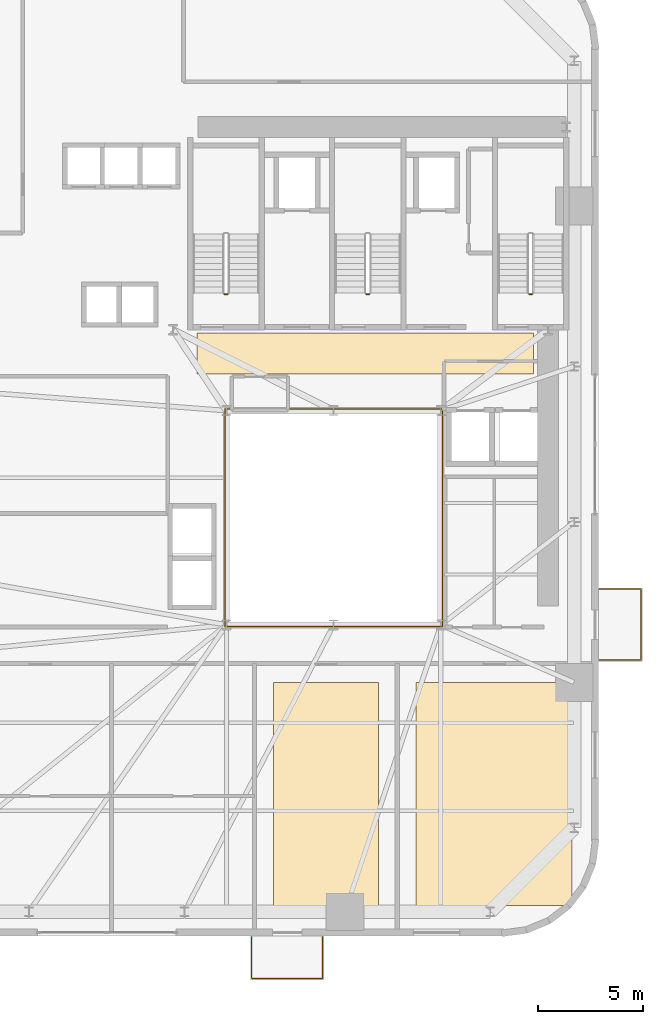
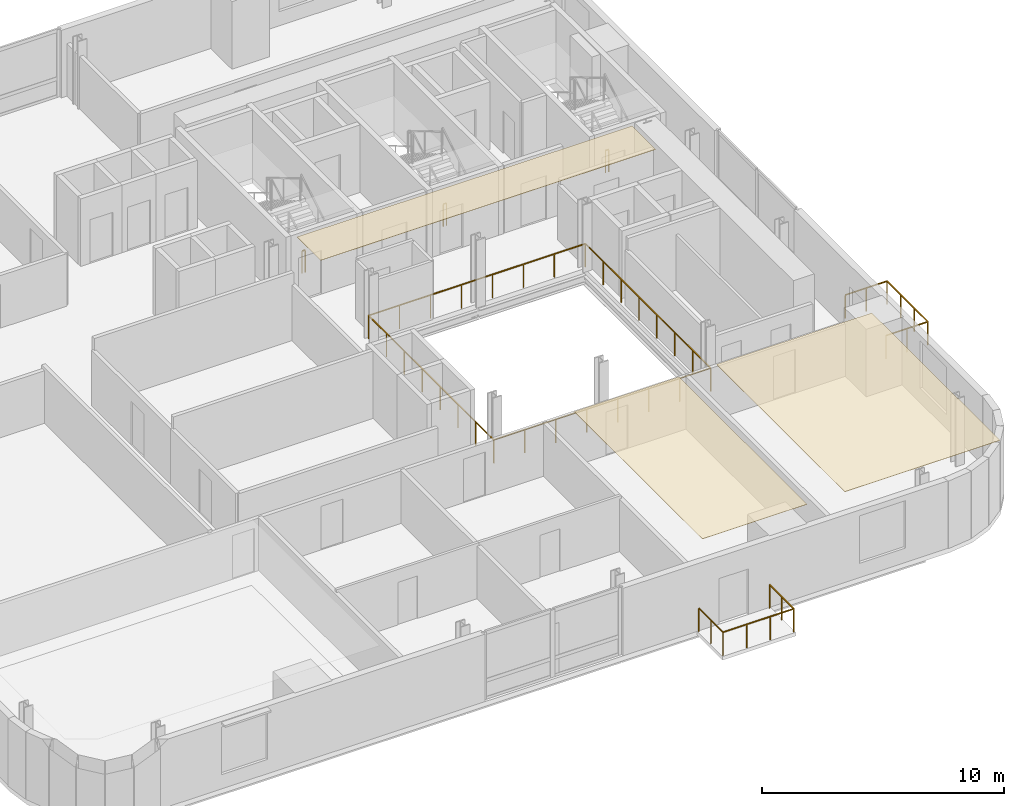
# One storey, part 11 of 13: 6 railings, 3 coverings.
"""IFC4 building model written with IfcOpenShell, lengths in metres."""

from ifc_helpers import new_model, si_unit, direction, frame, origin, origin_2d, place, context, subcontext, project, spatial, polyline, rectangle, outline, extrude, source, transform, mapped, material, layer, layer_set, type_object, element, save


model = new_model("IFC4")

# Units and contexts
model_context = context("Model", 3, precision=1e-05, world=origin(), true_north=direction((0.0, 1.0)))
body_context = subcontext(model_context, "Body", "Model", "MODEL_VIEW")
ifc_project = project(units=[si_unit("LENGTHUNIT", "METRE"), si_unit("AREAUNIT", "SQUARE_METRE"), si_unit("VOLUMEUNIT", "CUBIC_METRE"), si_unit("PLANEANGLEUNIT", "RADIAN"), si_unit("MASSUNIT", "GRAM", prefix="KILO")], contexts=[model_context])

# Site, building, storey
site_placement = place(None, origin())
site = spatial("IfcSite", under=ifc_project, at=site_placement, CompositionType="ELEMENT")
building_placement = place(site_placement, origin())
building = spatial("IfcBuilding", under=site, at=building_placement, Name="Vardaveli Station Tower", CompositionType="ELEMENT")
storey_placement = place(building_placement, frame((0.0, 0.0, 75.050048828125)))
storey = spatial("IfcBuildingStorey", under=building, at=storey_placement, Name="L19", CompositionType="ELEMENT", Elevation=75.050048828125)

# Coverings
ifc_material_1 = material(Name="Perforated acoustic mineral ceiling")
ifc_layer = layer(ifc_material_1, 0.02001953125, Name="Perforated acoustic mineral ceiling")
ifc_layer_set = layer_set([ifc_layer], Name="Perforated acoustic mineral ceiling")
covering_type = type_object("IfcCoveringType", Name="COV-CEIL-AC20", PredefinedType="CEILING", material=ifc_layer_set)
covering_1_placement = place(storey_placement, frame((0.0, 0.0, 3.39501953125)))
element("IfcCovering", 1, at=covering_1_placement, inside=storey, type_object=covering_type, Name="CEIL-L19-2", PredefinedType="CEILING", context=body_context, shape_type="SweptSolid", body=[
    extrude(outline(polyline([(33.4267578125, 3.25), (38.429931640625, 3.25), (38.429931640625, 13.860107421875), (33.4267578125, 13.860107421875), (33.4267578125, 3.25)])), origin(), (0.0, 0.0, 1.0), 0.02001953125),
])
covering_2_placement = place(storey_placement, frame((0.0, 0.0, 3.39501953125)))
element("IfcCovering", 2, at=covering_2_placement, inside=storey, type_object=covering_type, Name="CEIL-L19-3", PredefinedType="CEILING", context=body_context, shape_type="SweptSolid", body=[
    extrude(outline(polyline([(40.22998046875, 3.25), (47.64990234375, 3.25), (47.64990234375, 13.860107421875), (40.22998046875, 13.860107421875), (40.22998046875, 3.25)])), origin(), (0.0, 0.0, 1.0), 0.02001953125),
])
covering_3_placement = place(storey_placement, frame((0.0, 0.0, 3.39501953125)))
element("IfcCovering", 3, at=covering_3_placement, inside=storey, type_object=covering_type, Name="CEIL-L19-4", PredefinedType="CEILING", context=body_context, shape_type="SweptSolid", body=[
    extrude(outline(polyline([(29.800048828125, 28.550048828125), (45.800048828125, 28.550048828125), (45.800048828125, 30.5), (29.800048828125, 30.5), (29.800048828125, 28.550048828125)])), origin(), (0.0, 0.0, 1.0), 0.02001953125),
])

# Railings
ifc_material_2 = material(Name="Laminated glass and stainless steel balustrade", Category="steel")
railing_type_1 = type_object("IfcRailingType", Name="RL-BAL-1200", PredefinedType="BALUSTRADE", material=ifc_material_2)
shared_shape_1 = source(origin(), body_context, "Body", "SweptSolid", [
    extrude(rectangle(XDim=0.048095703125, YDim=0.048095703125, at=origin_2d()), frame((0.0, 0.0, 1.17578125), z_axis=(0.0, -1.0, 0.0), x_axis=(1.0, 0.0, 0.0)), (0.0, 0.0, 1.0), 2.0),
    extrude(rectangle(XDim=0.048095703125, YDim=0.048095703125, at=origin_2d()), frame((0.0, -2.0, 1.17578125), z_axis=(1.0, 0.0, 0.0), x_axis=(0.0, 1.0, 0.0)), (0.0, 0.0, 1.0), 3.3798828125),
    extrude(rectangle(XDim=0.048095703125, YDim=0.048095703125, at=origin_2d()), frame((3.3798828125, -2.0, 1.17578125), z_axis=(0.0, 1.0, 0.0), x_axis=(-1.0, 0.0, 0.0)), (0.0, 0.0, 1.0), 2.0),
    extrude(rectangle(XDim=0.0419921875, YDim=0.0419921875, at=origin_2d()), origin(), (0.0, 0.0, 1.0), 1.15185546875),
    extrude(rectangle(XDim=0.0419921875, YDim=0.0419921875, at=origin_2d()), frame((0.0, -1.0, 0.0)), (0.0, 0.0, 1.0), 1.15185546875),
    extrude(rectangle(XDim=0.0419921875, YDim=0.0419921875, at=origin_2d()), frame((0.0, -2.0, 0.0)), (0.0, 0.0, 1.0), 1.15185546875),
    extrude(rectangle(XDim=0.0419921875, YDim=0.0419921875, at=origin_2d()), frame((1.126708984375, -2.0, 0.0)), (0.0, 0.0, 1.0), 1.15185546875),
    extrude(rectangle(XDim=0.0419921875, YDim=0.0419921875, at=origin_2d()), frame((2.253173828125, -2.0, 0.0)), (0.0, 0.0, 1.0), 1.15185546875),
    extrude(rectangle(XDim=0.0419921875, YDim=0.0419921875, at=origin_2d()), frame((3.3798828125, -2.0, 0.0)), (0.0, 0.0, 1.0), 1.15185546875),
    extrude(rectangle(XDim=0.0419921875, YDim=0.0419921875, at=origin_2d()), frame((3.3798828125, -1.0, 0.0)), (0.0, 0.0, 1.0), 1.15185546875),
    extrude(rectangle(XDim=0.0419921875, YDim=0.0419921875, at=origin_2d()), frame((3.3798828125, 0.0, 0.0)), (0.0, 0.0, 1.0), 1.15185546875),
])
railing_1_placement = place(storey_placement, frame((32.399658203125, 1.760009765625, 0.0)))
element("IfcRailing", 4, at=railing_1_placement, inside=storey, type_object=railing_type_1, Name="RL-LOG-L19-01", PredefinedType="BALUSTRADE", context=body_context, shape_type="MappedRepresentation", body=[
    mapped(shared_shape_1, transform((0.0, 0.0, 0.0), scale=1.0)),
])
shared_shape_2 = source(origin(), body_context, "Body", "SweptSolid", [
    extrude(rectangle(XDim=0.048095703125, YDim=0.048095703125, at=origin_2d()), frame((0.0, 0.0, 1.17578125), z_axis=(1.0, 0.0, 0.0), x_axis=(0.0, 1.0, 0.0)), (0.0, 0.0, 1.0), 2.0),
    extrude(rectangle(XDim=0.048095703125, YDim=0.048095703125, at=origin_2d()), frame((2.0, 0.0, 1.17578125), z_axis=(0.0, 1.0, 0.0), x_axis=(-1.0, 0.0, 0.0)), (0.0, 0.0, 1.0), 3.3798828125),
    extrude(rectangle(XDim=0.048095703125, YDim=0.048095703125, at=origin_2d()), frame((2.0, 3.3798828125, 1.17578125), z_axis=(-1.0, 0.0, 0.0), x_axis=(0.0, -1.0, 0.0)), (0.0, 0.0, 1.0), 2.0),
    extrude(rectangle(XDim=0.0419921875, YDim=0.0419921875, at=origin_2d()), origin(), (0.0, 0.0, 1.0), 1.15185546875),
    extrude(rectangle(XDim=0.0419921875, YDim=0.0419921875, at=origin_2d()), frame((1.0, 0.0, 0.0)), (0.0, 0.0, 1.0), 1.15185546875),
    extrude(rectangle(XDim=0.0419921875, YDim=0.0419921875, at=origin_2d()), frame((2.0, 0.0, 0.0)), (0.0, 0.0, 1.0), 1.15185546875),
    extrude(rectangle(XDim=0.0419921875, YDim=0.0419921875, at=origin_2d()), frame((2.0, 1.126708984375, 0.0)), (0.0, 0.0, 1.0), 1.15185546875),
    extrude(rectangle(XDim=0.0419921875, YDim=0.0419921875, at=origin_2d()), frame((2.0, 2.253173828125, 0.0)), (0.0, 0.0, 1.0), 1.15185546875),
    extrude(rectangle(XDim=0.0419921875, YDim=0.0419921875, at=origin_2d()), frame((2.0, 3.3798828125, 0.0)), (0.0, 0.0, 1.0), 1.15185546875),
    extrude(rectangle(XDim=0.0419921875, YDim=0.0419921875, at=origin_2d()), frame((1.0, 3.3798828125, 0.0)), (0.0, 0.0, 1.0), 1.15185546875),
    extrude(rectangle(XDim=0.0419921875, YDim=0.0419921875, at=origin_2d()), frame((0.0, 3.3798828125, 0.0)), (0.0, 0.0, 1.0), 1.15185546875),
])
railing_2_placement = place(storey_placement, frame((48.93994140625, 14.92041015625, 0.0)))
element("IfcRailing", 5, at=railing_2_placement, inside=storey, type_object=railing_type_1, Name="RL-LOG-L19-04", PredefinedType="BALUSTRADE", context=body_context, shape_type="MappedRepresentation", body=[
    mapped(shared_shape_2, transform((0.0, 0.0, 0.0), scale=1.0)),
])
ifc_material_3 = material(Name="Brushed AISI 316 stainless steel", Category="steel")
railing_type_2 = type_object("IfcRailingType", Name="RL-GUARD-1150", PredefinedType="GUARDRAIL", material=ifc_material_3)
shared_shape_3 = source(origin(), body_context, "Body", "SweptSolid", [
    extrude(rectangle(XDim=0.048095703125, YDim=0.048095703125, at=origin_2d()), frame((0.0, 0.0, 1.1259765625), z_axis=(-1.0, 0.0, 0.0), x_axis=(0.0, -1.0, 0.0)), (0.0, 0.0, 1.0), 0.14990234375),
    extrude(rectangle(XDim=0.0419921875, YDim=0.0419921875, at=origin_2d()), origin(), (0.0, 0.0, 1.0), 1.101806640625),
    extrude(rectangle(XDim=0.0419921875, YDim=0.0419921875, at=origin_2d()), frame((-0.14990234375, 0.0, 0.0)), (0.0, 0.0, 1.0), 1.101806640625),
])
for number, where, name in (
    (6, (31.25, 32.35009765625, 0.0), "L19 ST-1 stair guard 4"),
    (7, (38.0, 32.35009765625, 0.0), "L19 ST-2 stair guard 4"),
    (8, (45.75, 32.35009765625, 0.0), "L19 ST-3 stair guard 4"),
):
    element("IfcRailing", number, at=place(storey_placement, frame(where)), inside=storey, type_object=railing_type_2, Name=name, PredefinedType="GUARDRAIL", context=body_context, shape_type="MappedRepresentation", body=[
        mapped(shared_shape_3, transform((0.0, 0.0, 0.0), scale=1.0)),
    ])
shared_shape_4 = source(origin(), body_context, "Body", "SweptSolid", [
    extrude(rectangle(XDim=0.048095703125, YDim=0.048095703125, at=origin_2d()), frame((0.0, 0.0, 1.17578125), z_axis=(1.0, 0.0, 0.0), x_axis=(0.0, 1.0, 0.0)), (0.0, 0.0, 1.0), 10.35986328125),
    extrude(rectangle(XDim=0.048095703125, YDim=0.048095703125, at=origin_2d()), frame((10.35986328125, 0.0, 1.17578125), z_axis=(0.0, 1.0, 0.0), x_axis=(-1.0, 0.0, 0.0)), (0.0, 0.0, 1.0), 10.35986328125),
    extrude(rectangle(XDim=0.048095703125, YDim=0.048095703125, at=origin_2d()), frame((10.35986328125, 10.35986328125, 1.17578125), z_axis=(-1.0, 0.0, 0.0), x_axis=(0.0, -1.0, 0.0)), (0.0, 0.0, 1.0), 10.35986328125),
    extrude(rectangle(XDim=0.048095703125, YDim=0.048095703125, at=origin_2d()), frame((0.0, 10.35986328125, 1.17578125), z_axis=(0.0, -1.0, 0.0), x_axis=(1.0, 0.0, 0.0)), (0.0, 0.0, 1.0), 10.35986328125),
    extrude(rectangle(XDim=0.0419921875, YDim=0.0419921875, at=origin_2d()), origin(), (0.0, 0.0, 1.0), 1.15185546875),
    extrude(rectangle(XDim=0.0419921875, YDim=0.0419921875, at=origin_2d()), frame((1.47998046875, 0.0, 0.0)), (0.0, 0.0, 1.0), 1.15185546875),
    extrude(rectangle(XDim=0.0419921875, YDim=0.0419921875, at=origin_2d()), frame((2.9599609375, 0.0, 0.0)), (0.0, 0.0, 1.0), 1.15185546875),
    extrude(rectangle(XDim=0.0419921875, YDim=0.0419921875, at=origin_2d()), frame((4.43994140625, 0.0, 0.0)), (0.0, 0.0, 1.0), 1.15185546875),
    extrude(rectangle(XDim=0.0419921875, YDim=0.0419921875, at=origin_2d()), frame((5.919921875, 0.0, 0.0)), (0.0, 0.0, 1.0), 1.15185546875),
    extrude(rectangle(XDim=0.0419921875, YDim=0.0419921875, at=origin_2d()), frame((7.39990234375, 0.0, 0.0)), (0.0, 0.0, 1.0), 1.15185546875),
    extrude(rectangle(XDim=0.0419921875, YDim=0.0419921875, at=origin_2d()), frame((8.8798828125, 0.0, 0.0)), (0.0, 0.0, 1.0), 1.15185546875),
    extrude(rectangle(XDim=0.0419921875, YDim=0.0419921875, at=origin_2d()), frame((10.35986328125, 0.0, 0.0)), (0.0, 0.0, 1.0), 1.15185546875),
    extrude(rectangle(XDim=0.0419921875, YDim=0.0419921875, at=origin_2d()), frame((10.35986328125, 1.47998046875, 0.0)), (0.0, 0.0, 1.0), 1.15185546875),
    extrude(rectangle(XDim=0.0419921875, YDim=0.0419921875, at=origin_2d()), frame((10.35986328125, 2.9599609375, 0.0)), (0.0, 0.0, 1.0), 1.15185546875),
    extrude(rectangle(XDim=0.0419921875, YDim=0.0419921875, at=origin_2d()), frame((10.35986328125, 4.43994140625, 0.0)), (0.0, 0.0, 1.0), 1.15185546875),
    extrude(rectangle(XDim=0.0419921875, YDim=0.0419921875, at=origin_2d()), frame((10.35986328125, 5.919921875, 0.0)), (0.0, 0.0, 1.0), 1.15185546875),
    extrude(rectangle(XDim=0.0419921875, YDim=0.0419921875, at=origin_2d()), frame((10.35986328125, 7.39990234375, 0.0)), (0.0, 0.0, 1.0), 1.15185546875),
    extrude(rectangle(XDim=0.0419921875, YDim=0.0419921875, at=origin_2d()), frame((10.35986328125, 8.8798828125, 0.0)), (0.0, 0.0, 1.0), 1.15185546875),
    extrude(rectangle(XDim=0.0419921875, YDim=0.0419921875, at=origin_2d()), frame((10.35986328125, 10.35986328125, 0.0)), (0.0, 0.0, 1.0), 1.15185546875),
    extrude(rectangle(XDim=0.0419921875, YDim=0.0419921875, at=origin_2d()), frame((8.8798828125, 10.35986328125, 0.0)), (0.0, 0.0, 1.0), 1.15185546875),
    extrude(rectangle(XDim=0.0419921875, YDim=0.0419921875, at=origin_2d()), frame((7.39990234375, 10.35986328125, 0.0)), (0.0, 0.0, 1.0), 1.15185546875),
    extrude(rectangle(XDim=0.0419921875, YDim=0.0419921875, at=origin_2d()), frame((5.919921875, 10.35986328125, 0.0)), (0.0, 0.0, 1.0), 1.15185546875),
    extrude(rectangle(XDim=0.0419921875, YDim=0.0419921875, at=origin_2d()), frame((4.43994140625, 10.35986328125, 0.0)), (0.0, 0.0, 1.0), 1.15185546875),
    extrude(rectangle(XDim=0.0419921875, YDim=0.0419921875, at=origin_2d()), frame((2.9599609375, 10.35986328125, 0.0)), (0.0, 0.0, 1.0), 1.15185546875),
    extrude(rectangle(XDim=0.0419921875, YDim=0.0419921875, at=origin_2d()), frame((1.47998046875, 10.35986328125, 0.0)), (0.0, 0.0, 1.0), 1.15185546875),
    extrude(rectangle(XDim=0.0419921875, YDim=0.0419921875, at=origin_2d()), frame((0.0, 10.35986328125, 0.0)), (0.0, 0.0, 1.0), 1.15185546875),
    extrude(rectangle(XDim=0.0419921875, YDim=0.0419921875, at=origin_2d()), frame((0.0, 8.8798828125, 0.0)), (0.0, 0.0, 1.0), 1.15185546875),
    extrude(rectangle(XDim=0.0419921875, YDim=0.0419921875, at=origin_2d()), frame((0.0, 7.39990234375, 0.0)), (0.0, 0.0, 1.0), 1.15185546875),
    extrude(rectangle(XDim=0.0419921875, YDim=0.0419921875, at=origin_2d()), frame((0.0, 5.919921875, 0.0)), (0.0, 0.0, 1.0), 1.15185546875),
    extrude(rectangle(XDim=0.0419921875, YDim=0.0419921875, at=origin_2d()), frame((0.0, 4.43994140625, 0.0)), (0.0, 0.0, 1.0), 1.15185546875),
    extrude(rectangle(XDim=0.0419921875, YDim=0.0419921875, at=origin_2d()), frame((0.0, 2.9599609375, 0.0)), (0.0, 0.0, 1.0), 1.15185546875),
    extrude(rectangle(XDim=0.0419921875, YDim=0.0419921875, at=origin_2d()), frame((0.0, 1.47998046875, 0.0)), (0.0, 0.0, 1.0), 1.15185546875),
])
railing_3_placement = place(storey_placement, frame((31.1201171875, 16.52001953125, 0.0)))
element("IfcRailing", 9, at=railing_3_placement, inside=storey, type_object=railing_type_1, Name="RL-ATR-L19", PredefinedType="BALUSTRADE", context=body_context, shape_type="MappedRepresentation", body=[
    mapped(shared_shape_4, transform((0.0, 0.0, 0.0), scale=1.0)),
])

save(model, "model.ifc")
